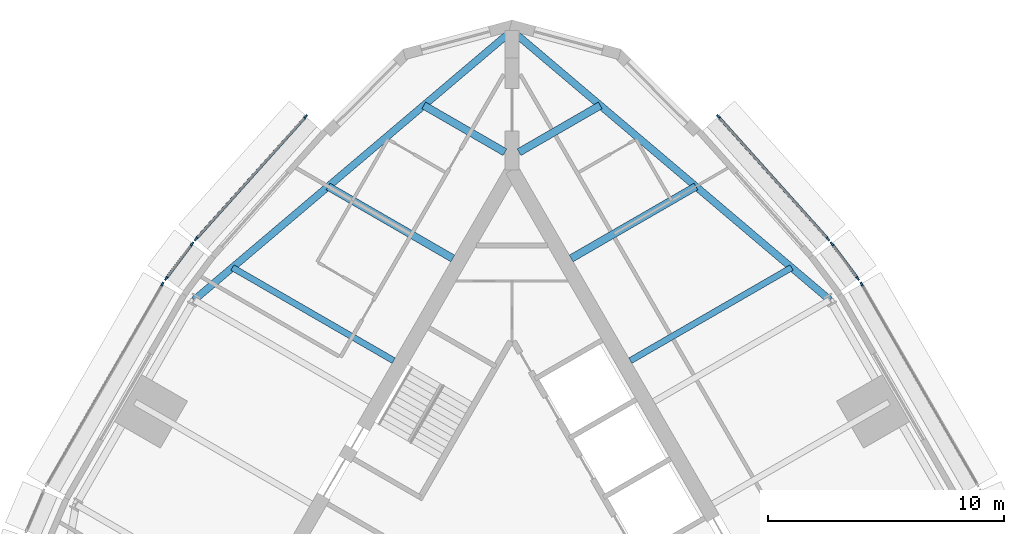
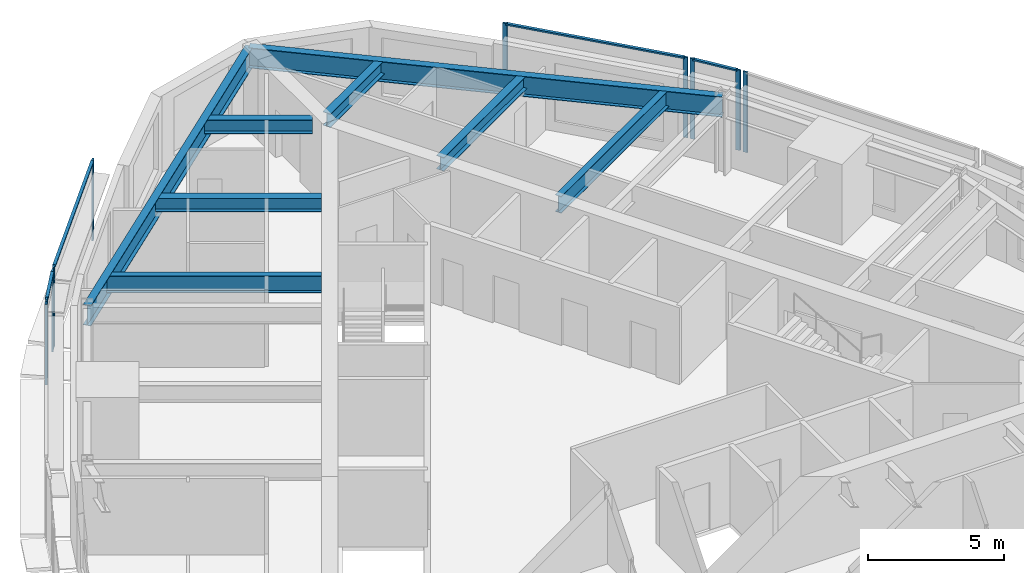
# One storey, part 5 of 12: 14 members, 8 beams, 6 elements without a shape of their own.
"""IFC4 building model written with IfcOpenShell, lengths in metres."""

import ifcopenshell
import ifcopenshell.guid

model = None  # the IFC model being written
_history = None  # IfcOwnerHistory: only IFC2X3 demands one
_inside = {}  # id of a spatial element -> (the spatial element, [elements in it])
_under = {}  # id of a project, library or spatial element -> (it, [spatial elements below it])
_declared = {}  # id of a project -> (the project, [libraries it declares])
_typed = {}  # id of a type object -> (the type object, [elements of that type])
_made_of = {}  # id of a material, layer set ... -> (it, [elements and type objects made of it])


def new_model(schema):
    """Start an empty IFC model of exactly this schema.

    Asked for "IFC4X3", IfcOpenShell would pick the latest addendum, in which some entities
    have other attributes; the version numbers below select the first issue.
    IFC2X3 requires an IfcOwnerHistory on every rooted entity: one is made here for all.
    """
    global model, _history
    if schema == "IFC4X3":
        model = ifcopenshell.file(schema_version=(4, 3, 0, 0))
    else:
        model = ifcopenshell.file(schema=schema)
    _inside.clear()
    _under.clear()
    _declared.clear()
    _typed.clear()
    _made_of.clear()
    _history = None
    if model.schema == "IFC2X3":
        org = make("IfcOrganization", Name="unknown")
        user = make(
            "IfcPersonAndOrganization",
            ThePerson=make("IfcPerson", FamilyName="unknown"),
            TheOrganization=org,
        )
        app = make(
            "IfcApplication",
            ApplicationDeveloper=org,
            Version="unknown",
            ApplicationFullName="unknown",
            ApplicationIdentifier="unknown",
        )
        _history = make(
            "IfcOwnerHistory",
            OwningUser=user,
            OwningApplication=app,
            ChangeAction="ADDED",
            CreationDate=0,
        )
    return model


def make(cls, **values):
    """One entity of the class cls with the attributes given. An attribute that is None is left unset."""
    return model.create_entity(
        cls, **{name: value for name, value in values.items() if value is not None}
    )


def rooted(cls, **values):
    """An entity with a GlobalId (a new one), such as an element, a storey or a relation."""
    return make(cls, GlobalId=ifcopenshell.guid.new(), OwnerHistory=_history, **values)


def si_unit(unit_type, name, prefix=None):
    """IfcSIUnit, for example si_unit("LENGTHUNIT", "METRE", prefix="MILLI")."""
    return make("IfcSIUnit", UnitType=unit_type, Prefix=prefix, Name=name)


def assignment(units):
    """IfcUnitAssignment: the units of a project."""
    return None if units is None else make("IfcUnitAssignment", Units=units)


def point(xyz):
    """IfcCartesianPoint."""
    return None if xyz is None else make("IfcCartesianPoint", Coordinates=xyz)


def direction(xyz):
    """IfcDirection."""
    return None if xyz is None else make("IfcDirection", DirectionRatios=xyz)


def frame(location, z_axis=None, x_axis=None):
    """IfcAxis2Placement3D, a coordinate frame: its origin and axes. An axis left out is left unset."""
    return make(
        "IfcAxis2Placement3D",
        Location=point(location),
        Axis=direction(z_axis),
        RefDirection=direction(x_axis),
    )


def frame_2d(location, x_axis=None):
    """IfcAxis2Placement2D, a coordinate frame in the plane: its origin and x axis."""
    return make(
        "IfcAxis2Placement2D", Location=point(location), RefDirection=direction(x_axis)
    )


def origin():
    """The frame at (0, 0, 0) with its axes left unset."""
    return frame((0.0, 0.0, 0.0))


def origin_2d():
    """The frame at (0, 0) in the plane with its x axis left unset."""
    return frame_2d((0.0, 0.0))


def place(relative_to, where):
    """IfcLocalPlacement: puts the frame where relative to a parent placement (None: the world)."""
    return make(
        "IfcLocalPlacement", PlacementRelTo=relative_to, RelativePlacement=where
    )


def context(
    kind, dimensions, precision=None, world=None, true_north=None, identifier=None
):
    """IfcGeometricRepresentationContext, for example the 3D "Model" context."""
    return make(
        "IfcGeometricRepresentationContext",
        ContextIdentifier=identifier,
        ContextType=kind,
        CoordinateSpaceDimension=dimensions,
        Precision=precision,
        WorldCoordinateSystem=world,
        TrueNorth=true_north,
    )


def subcontext(parent, identifier, kind, view, scale=None):
    """IfcGeometricRepresentationSubContext, for example "Body" below "Model"."""
    return make(
        "IfcGeometricRepresentationSubContext",
        ContextIdentifier=identifier,
        ContextType=kind,
        ParentContext=parent,
        TargetScale=scale,
        TargetView=view,
    )


def project(units=None, contexts=None):
    """IfcProject with its units and contexts."""
    return rooted(
        "IfcProject",
        Name="project",
        RepresentationContexts=contexts,
        UnitsInContext=assignment(units),
    )


def spatial(cls, under=None, at=None, **own):
    """A site, building, storey or space (cls), placed at a placement, below another one or the project."""
    s = rooted(cls, ObjectPlacement=at, **own)
    if under is not None:
        _under.setdefault(under.id(), (under, []))[1].append(s)
    return s


def profile(cls, at=None, kind="AREA", **sizes):
    """A parametric profile (cls). Its sizes go by their IFC names, for example OverallWidth=200.0."""
    return make(cls, ProfileType=kind, Position=at, **sizes)


def rectangle(**sizes):
    """IfcRectangleProfileDef."""
    return profile("IfcRectangleProfileDef", **sizes)


def i_section(**sizes):
    """IfcIShapeProfileDef."""
    return profile("IfcIShapeProfileDef", **sizes)


def extrude(swept, where, along, depth):
    """IfcExtrudedAreaSolid: the profile swept, set in the frame where, extruded along a direction by depth."""
    return make(
        "IfcExtrudedAreaSolid",
        SweptArea=swept,
        Position=where,
        ExtrudedDirection=direction(along),
        Depth=depth,
    )


def shape(context_of_items, identifier, shape_type, items):
    """IfcShapeRepresentation: the items that make up one representation, for example the "Body"."""
    return make(
        "IfcShapeRepresentation",
        ContextOfItems=context_of_items,
        RepresentationIdentifier=identifier,
        RepresentationType=shape_type,
        Items=items,
    )


def material(Name=None, Category=None):
    """IfcMaterial."""
    return make("IfcMaterial", Name=Name, Category=Category)


def material_profile(
    of_material, cross_section, Name=None, Category=None, Priority=None
):
    """IfcMaterialProfile: a cross section and its material."""
    return make(
        "IfcMaterialProfile",
        Name=Name,
        Material=of_material,
        Profile=cross_section,
        Priority=Priority,
        Category=Category,
    )


def profile_set(profiles, Name=None, composite=None):
    """IfcMaterialProfileSet."""
    return make(
        "IfcMaterialProfileSet",
        Name=Name,
        MaterialProfiles=profiles,
        CompositeProfile=composite,
    )


def made_of(thing, what):
    """Note that an element or type object is made of a material, layer set ...; save() writes the relation."""
    if what is not None:
        _made_of.setdefault(what.id(), (what, []))[1].append(thing)
    return thing


def type_object(cls, material=None, **own):
    """A type object (cls), such as IfcWallType, which elements share."""
    return made_of(rooted(cls, **own), material)


def element(
    cls,
    number,
    at=None,
    inside=None,
    cuts=None,
    type_object=None,
    material=None,
    context=None,
    identifier="Body",
    shape_type=None,
    held_by="IfcProductDefinitionShape",
    body=None,
    shapes=None,
    **own,
):
    """One element of the class cls, such as IfcWall. Its Tag is "e" and its number.

    at: its placement. inside: the storey or other place that contains it. cuts: it is an
    opening in that element (IfcRelVoidsElement). A single representation is given by context,
    identifier, shape_type and body (its items); several are given by shapes. held_by: the class
    of the entity that holds the representations. save() writes the other relations.
    """
    e = rooted(cls, Tag="e%d" % number, ObjectPlacement=at, **own)
    if body is not None:
        shapes = [shape(context, identifier, shape_type, body)]
    if shapes is not None:
        e.Representation = make(held_by, Representations=shapes)
    if inside is not None:
        _inside.setdefault(inside.id(), (inside, []))[1].append(e)
    if cuts is not None:
        rooted(
            "IfcRelVoidsElement", RelatingBuildingElement=cuts, RelatedOpeningElement=e
        )
    if type_object is not None:
        _typed.setdefault(type_object.id(), (type_object, []))[1].append(e)
    return made_of(e, material)


def aggregate(whole, parts):
    """IfcRelAggregates: a whole, such as a stair, and the parts it consists of."""
    return rooted("IfcRelAggregates", RelatingObject=whole, RelatedObjects=parts)


def save(model, path):
    """Write the relations noted so far, then the file.

    IfcRelAggregates (storeys below a building ...), IfcRelContainedInSpatialStructure (elements
    in a storey), IfcRelDefinesByType, IfcRelAssociatesMaterial and IfcRelDeclares: one each for
    every whole, place, type object, material and project.
    """
    for whole, parts in _under.values():
        aggregate(whole, parts)
    for where, things in _inside.values():
        rooted(
            "IfcRelContainedInSpatialStructure",
            RelatedElements=things,
            RelatingStructure=where,
        )
    for kind, things in _typed.values():
        rooted("IfcRelDefinesByType", RelatedObjects=things, RelatingType=kind)
    for what, things in _made_of.values():
        rooted("IfcRelAssociatesMaterial", RelatedObjects=things, RelatingMaterial=what)
    for by, libraries in _declared.values():
        rooted("IfcRelDeclares", RelatingContext=by, RelatedDefinitions=libraries)
    model.write(path)


model = new_model("IFC4")

# Units and contexts
model_context = context("Model", 3, precision=1e-05, world=origin(), true_north=direction((0.0, 1.0)))
body_context = subcontext(model_context, "Body", "Model", "MODEL_VIEW")
ifc_project = project(units=[si_unit("LENGTHUNIT", "METRE"), si_unit("AREAUNIT", "SQUARE_METRE"), si_unit("VOLUMEUNIT", "CUBIC_METRE"), si_unit("PLANEANGLEUNIT", "RADIAN"), si_unit("MASSUNIT", "GRAM", prefix="KILO")], contexts=[model_context])

# Site, building, storey
site_placement = place(None, origin())
site = spatial("IfcSite", under=ifc_project, at=site_placement, CompositionType="ELEMENT")
building_placement = place(site_placement, origin())
building = spatial("IfcBuilding", under=site, at=building_placement, Name="Trikona Tower", CompositionType="ELEMENT")
storey_placement = place(building_placement, frame((0.0, 0.0, 260.89990234375)))
storey = spatial("IfcBuildingStorey", under=building, at=storey_placement, Name="L69", CompositionType="ELEMENT", Elevation=260.89990234375)

# Curtain wall, member
ifc_material_1 = material(Name="Aluminium curtain wall system", Category="aluminium")
curtain_wall_type = type_object("IfcCurtainWallType", Name="Curtain wall DS3", PredefinedType="NOTDEFINED", material=ifc_material_1)
curtain_wall_1_placement = place(storey_placement, origin())
curtain_wall_1 = element("IfcCurtainWall", 1, at=curtain_wall_1_placement, inside=storey, type_object=curtain_wall_type, Name="Curtain wall DS3 L69", PredefinedType="NOTDEFINED")
ifc_material_2 = material(Name="Aluminium mullion, pale anodised", Category="aluminium")
ifc_material_profile_1 = material_profile(ifc_material_2, rectangle(XDim=0.070068359375, YDim=0.179931640625, at=origin_2d()), Name="MUL-DS3")
ifc_profile_set_1 = profile_set([ifc_material_profile_1], Name="Aluminium mullion, pale anodised")
member_type_1 = type_object("IfcMemberType", Name="Mullion DS3 70x180", PredefinedType="MULLION", material=ifc_profile_set_1)
member_1_placement = place(storey_placement, frame((14.807861328125, 14.213134765625, 0.0), z_axis=(0.0, 0.0, 1.0), x_axis=(-0.866024619633, -0.500001358187, 0.0)))
member_1 = element("IfcMember", 2, at=member_1_placement, type_object=member_type_1, Name="CW-DS3 mullion 2", PredefinedType="MULLION", context=body_context, shape_type="SweptSolid", body=[
    extrude(rectangle(XDim=0.070068359375, YDim=0.179931640625, at=origin_2d()), origin(), (0.0, 0.0, 1.0), 3.60009765625),
])
aggregate(curtain_wall_1, [member_1])

# Curtain wall, members
curtain_wall_2_placement = place(storey_placement, origin())
curtain_wall_2 = element("IfcCurtainWall", 3, at=curtain_wall_2_placement, inside=storey, type_object=curtain_wall_type, Name="Curtain wall DS3 L69", PredefinedType="NOTDEFINED")
member_2_placement = place(storey_placement, frame((14.644287109375, 14.461181640625, 0.0), z_axis=(0.0, 0.0, 1.0), x_axis=(-0.800259657055, -0.599653634435, 0.0)))
member_2 = element("IfcMember", 4, at=member_2_placement, type_object=member_type_1, Name="CW-DS3 mullion 1", PredefinedType="MULLION", context=body_context, shape_type="SweptSolid", body=[
    extrude(rectangle(XDim=0.070068359375, YDim=0.179931640625, at=origin_2d()), origin(), (0.0, 0.0, 1.0), 3.60009765625),
])
member_3_placement = place(storey_placement, frame((13.55029296875, 15.9208984375, 0.0), z_axis=(0.0, 0.0, 1.0), x_axis=(-0.800259657055, -0.599653634435, 0.0)))
member_3 = element("IfcMember", 5, at=member_3_placement, type_object=member_type_1, Name="CW-DS3 mullion 2", PredefinedType="MULLION", context=body_context, shape_type="SweptSolid", body=[
    extrude(rectangle(XDim=0.070068359375, YDim=0.179931640625, at=origin_2d()), origin(), (0.0, 0.0, 1.0), 3.60009765625),
])

curtain_wall_3_placement = place(storey_placement, origin())
curtain_wall_3 = element("IfcCurtainWall", 6, at=curtain_wall_3_placement, inside=storey, type_object=curtain_wall_type, Name="Curtain wall DS3 L69", PredefinedType="NOTDEFINED")
member_4_placement = place(storey_placement, frame((13.380126953125, 16.128662109375, 0.0), z_axis=(0.0, 0.0, 1.0), x_axis=(-0.744771436797, -0.667319643748, 0.0)))
member_4 = element("IfcMember", 7, at=member_4_placement, type_object=member_type_1, Name="CW-DS3 mullion 1", PredefinedType="MULLION", context=body_context, shape_type="SweptSolid", body=[
    extrude(rectangle(XDim=0.070068359375, YDim=0.179931640625, at=origin_2d()), origin(), (0.0, 0.0, 1.0), 3.60009765625),
])
member_5_placement = place(storey_placement, frame((8.733642578125, 21.314453125, 0.0), z_axis=(0.0, 0.0, 1.0), x_axis=(-0.744771436797, -0.667319643748, 0.0)))
member_5 = element("IfcMember", 8, at=member_5_placement, type_object=member_type_1, Name="CW-DS3 mullion 2", PredefinedType="MULLION", context=body_context, shape_type="SweptSolid", body=[
    extrude(rectangle(XDim=0.070068359375, YDim=0.179931640625, at=origin_2d()), origin(), (0.0, 0.0, 1.0), 3.60009765625),
])

curtain_wall_4_placement = place(storey_placement, origin())
curtain_wall_4 = element("IfcCurtainWall", 9, at=curtain_wall_4_placement, inside=storey, type_object=curtain_wall_type, Name="Curtain wall DS3 L69", PredefinedType="NOTDEFINED")
member_6_placement = place(storey_placement, frame((-8.733642578125, 21.314453125, 0.0), z_axis=(0.0, 0.0, 1.0), x_axis=(0.744771436797, -0.667319643748, 0.0)))
member_6 = element("IfcMember", 10, at=member_6_placement, type_object=member_type_1, Name="CW-DS3 mullion 1", PredefinedType="MULLION", context=body_context, shape_type="SweptSolid", body=[
    extrude(rectangle(XDim=0.070068359375, YDim=0.179931640625, at=origin_2d()), origin(), (0.0, 0.0, 1.0), 3.60009765625),
])
member_7_placement = place(storey_placement, frame((-13.380126953125, 16.128662109375, 0.0), z_axis=(0.0, 0.0, 1.0), x_axis=(0.744771436797, -0.667319643748, 0.0)))
member_7 = element("IfcMember", 11, at=member_7_placement, type_object=member_type_1, Name="CW-DS3 mullion 2", PredefinedType="MULLION", context=body_context, shape_type="SweptSolid", body=[
    extrude(rectangle(XDim=0.070068359375, YDim=0.179931640625, at=origin_2d()), origin(), (0.0, 0.0, 1.0), 3.60009765625),
])

curtain_wall_5_placement = place(storey_placement, origin())
curtain_wall_5 = element("IfcCurtainWall", 12, at=curtain_wall_5_placement, inside=storey, type_object=curtain_wall_type, Name="Curtain wall DS3 L69", PredefinedType="NOTDEFINED")
member_8_placement = place(storey_placement, frame((-13.55029296875, 15.9208984375, 0.0), z_axis=(0.0, 0.0, 1.0), x_axis=(0.800259657055, -0.599653634435, 0.0)))
member_8 = element("IfcMember", 13, at=member_8_placement, type_object=member_type_1, Name="CW-DS3 mullion 1", PredefinedType="MULLION", context=body_context, shape_type="SweptSolid", body=[
    extrude(rectangle(XDim=0.070068359375, YDim=0.179931640625, at=origin_2d()), origin(), (0.0, 0.0, 1.0), 3.60009765625),
])
member_9_placement = place(storey_placement, frame((-14.644287109375, 14.461181640625, 0.0), z_axis=(0.0, 0.0, 1.0), x_axis=(0.800259657055, -0.599653634435, 0.0)))
member_9 = element("IfcMember", 14, at=member_9_placement, type_object=member_type_1, Name="CW-DS3 mullion 2", PredefinedType="MULLION", context=body_context, shape_type="SweptSolid", body=[
    extrude(rectangle(XDim=0.070068359375, YDim=0.179931640625, at=origin_2d()), origin(), (0.0, 0.0, 1.0), 3.60009765625),
])

# Curtain wall, member
curtain_wall_6_placement = place(storey_placement, origin())
curtain_wall_6 = element("IfcCurtainWall", 15, at=curtain_wall_6_placement, inside=storey, type_object=curtain_wall_type, Name="Curtain wall DS3 L69", PredefinedType="NOTDEFINED")
member_10_placement = place(storey_placement, frame((-14.807861328125, 14.213134765625, 0.0), z_axis=(0.0, 0.0, 1.0), x_axis=(0.866024619633, -0.500001358187, 0.0)))
member_10 = element("IfcMember", 16, at=member_10_placement, type_object=member_type_1, Name="CW-DS3 mullion 1", PredefinedType="MULLION", context=body_context, shape_type="SweptSolid", body=[
    extrude(rectangle(XDim=0.070068359375, YDim=0.179931640625, at=origin_2d()), origin(), (0.0, 0.0, 1.0), 3.60009765625),
])
aggregate(curtain_wall_6, [member_10])

# Beams
ifc_material_3 = material(Name="Steel ASTM A992 Grade 50", Category="steel")
ifc_material_profile_2 = material_profile(ifc_material_3, i_section(OverallWidth=0.3251953125, OverallDepth=0.612060546875, WebThickness=0.0126953125, FlangeThickness=0.01904296875, at=origin_2d()), Name="W24X104")
ifc_profile_set_2 = profile_set([ifc_material_profile_2], Name="Steel ASTM A992 Grade 50")
beam_type_1 = type_object("IfcBeamType", Name="Steel beam W24x104 (wedge upper)", PredefinedType="BEAM", material=ifc_profile_set_2)
beam_1_placement = place(storey_placement, frame((2.509765625, 15.305419921875, 3.12890625), z_axis=(0.866023498866, 0.500003299401, 0.0), x_axis=(-0.500003299401, 0.866023498866, 0.0)))
element("IfcBeam", 17, at=beam_1_placement, inside=storey, type_object=beam_type_1, Name="Floor beam L70 F2 u12", PredefinedType="BEAM", context=body_context, shape_type="SweptSolid", body=[
    extrude(i_section(OverallWidth=0.3251953125, OverallDepth=0.612060546875, WebThickness=0.0126953125, FlangeThickness=0.01904296875, at=origin_2d()), origin(), (0.0, 0.0, 1.0), 6.09521484375),
])
for number, where, z_axis, x_axis, name in (
    (18, (0.300048828125, 19.802978515625, 3.12890625), (0.866004223388, 0.500036683728, 0.0), (-0.500036683728, 0.866004223388, 0.0), "Floor beam L70 F2 u17"),
    (19, (-0.300048828125, 19.802978515625, 3.12890625), (-0.866004223388, 0.500036683728, 0.0), (-0.500036683728, -0.866004223388, 0.0), "Floor beam L70 F3 u-17"),
):
    element("IfcBeam", number, at=place(storey_placement, frame(where, z_axis=z_axis, x_axis=x_axis)), inside=storey, type_object=beam_type_1, Name=name, PredefinedType="BEAM", context=body_context, shape_type="SweptSolid", body=[
        extrude(i_section(OverallWidth=0.3251953125, OverallDepth=0.612060546875, WebThickness=0.0126953125, FlangeThickness=0.01904296875, at=origin_2d()), origin(), (0.0, 0.0, 1.0), 3.968017578125),
    ])
beam_2_placement = place(storey_placement, frame((-2.509765625, 15.305419921875, 3.12890625), z_axis=(-0.866023498866, 0.500003299401, 0.0), x_axis=(-0.500003299401, -0.866023498866, 0.0)))
element("IfcBeam", 20, at=beam_2_placement, inside=storey, type_object=beam_type_1, Name="Floor beam L70 F3 u-12", PredefinedType="BEAM", context=body_context, shape_type="SweptSolid", body=[
    extrude(i_section(OverallWidth=0.3251953125, OverallDepth=0.612060546875, WebThickness=0.0126953125, FlangeThickness=0.01904296875, at=origin_2d()), origin(), (0.0, 0.0, 1.0), 6.09521484375),
])
ifc_material_4 = material(Name="Steel ASTM A992 Grade 50", Category="steel")
ifc_material_profile_3 = material_profile(ifc_material_4, i_section(OverallWidth=0.2666015625, OverallDepth=0.7568359375, WebThickness=0.013916015625, FlangeThickness=0.019287109375, at=origin_2d()), Name="W30X108")
ifc_profile_set_3 = profile_set([ifc_material_profile_3], Name="Steel ASTM A992 Grade 50")
beam_type_2 = type_object("IfcBeamType", Name="Steel beam W30x108 (radial upper)", PredefinedType="BEAM", material=ifc_profile_set_3)
for number, where, z_axis, x_axis, name in (
    (21, (5.009765625, 10.975341796875, 3.056640625), (0.866034560358, 0.499984140014, 0.0), (-0.499984140014, 0.866034560358, 0.0), "Floor beam L70 F2 u7"),
    (22, (-5.009765625, 10.975341796875, 3.056640625), (-0.866034560358, 0.499984140014, 0.0), (-0.499984140014, -0.866034560358, 0.0), "Floor beam L70 F3 u-7"),
):
    element("IfcBeam", number, at=place(storey_placement, frame(where, z_axis=z_axis, x_axis=x_axis)), inside=storey, type_object=beam_type_2, Name=name, PredefinedType="BEAM", context=body_context, shape_type="SweptSolid", body=[
        extrude(i_section(OverallWidth=0.2666015625, OverallDepth=0.7568359375, WebThickness=0.013916015625, FlangeThickness=0.019287109375, at=origin_2d()), origin(), (0.0, 0.0, 1.0), 7.887451171875),
    ])
ifc_material_5 = material(Name="Steel ASTM A992 Grade 50", Category="steel")
ifc_material_profile_4 = material_profile(ifc_material_5, i_section(OverallWidth=0.3046875, OverallDepth=0.911865234375, WebThickness=0.015869140625, FlangeThickness=0.02392578125, at=origin_2d()), Name="W36X150")
ifc_profile_set_4 = profile_set([ifc_material_profile_4], Name="Steel ASTM A992 Grade 50")
beam_type_3 = type_object("IfcBeamType", Name="Steel beam W36x150 (spandrel upper)", PredefinedType="SPANDREL", material=ifc_profile_set_4)
for number, where, z_axis, x_axis, name in (
    (23, (13.461181640625, 13.54541015625, 2.979248046875), (-0.762890626803, 0.646527564405, 0.0), (-0.646527564405, -0.762890626803, 0.0), "Spandrel beam L70 F2-3"),
    (24, (0.0, 24.953369140625, 2.979248046875), (-0.762890626803, -0.646527564405, 0.0), (0.646527564405, -0.762890626803, 0.0), "Spandrel beam L70 F3-1"),
):
    element("IfcBeam", number, at=place(storey_placement, frame(where, z_axis=z_axis, x_axis=x_axis)), inside=storey, type_object=beam_type_3, Name=name, PredefinedType="SPANDREL", context=body_context, shape_type="SweptSolid", body=[
        extrude(i_section(OverallWidth=0.3046875, OverallDepth=0.911865234375, WebThickness=0.015869140625, FlangeThickness=0.02392578125, at=origin_2d()), origin(), (0.0, 0.0, 1.0), 17.64501953125),
    ])

# Member
ifc_material_6 = material(Name="Aluminium transom, pale anodised", Category="aluminium")
ifc_material_profile_5 = material_profile(ifc_material_6, rectangle(XDim=0.1201171875, YDim=0.070068359375, at=origin_2d()), Name="TRN-DS3")
ifc_profile_set_5 = profile_set([ifc_material_profile_5], Name="Aluminium transom, pale anodised")
member_type_2 = type_object("IfcMemberType", Name="Transom DS3 70x120", PredefinedType="USERDEFINED", material=ifc_profile_set_5)
member_11_placement = place(storey_placement, frame((14.623291015625, 14.489013671875, 3.565185546875), z_axis=(-0.599621429645, 0.80028378786, 0.0), x_axis=(-0.80028378786, -0.599621429645, 0.0)))
member_11 = element("IfcMember", 25, at=member_11_placement, type_object=member_type_2, Name="CW-DS3 transom 1.1", ObjectType="TRANSOM", PredefinedType="USERDEFINED", context=body_context, shape_type="SweptSolid", body=[
    extrude(rectangle(XDim=0.1201171875, YDim=0.070068359375, at=origin_2d()), origin(), (0.0, 0.0, 1.0), 1.75439453125),
])

aggregate(curtain_wall_2, [member_2, member_3, member_11])

member_12_placement = place(storey_placement, frame((13.356689453125, 16.15478515625, 3.565185546875), z_axis=(-0.667313410703, 0.744777021595, 0.0), x_axis=(-0.744777021595, -0.667313410703, 0.0)))
member_12 = element("IfcMember", 26, at=member_12_placement, type_object=member_type_2, Name="CW-DS3 transom 1.1", ObjectType="TRANSOM", PredefinedType="USERDEFINED", context=body_context, shape_type="SweptSolid", body=[
    extrude(rectangle(XDim=0.1201171875, YDim=0.070068359375, at=origin_2d()), origin(), (0.0, 0.0, 1.0), 6.892822265625),
])

aggregate(curtain_wall_3, [member_4, member_5, member_12])

member_13_placement = place(storey_placement, frame((-8.757080078125, 21.288330078125, 3.565185546875), z_axis=(-0.667313410703, -0.744777021595, 0.0), x_axis=(0.744777021595, -0.667313410703, 0.0)))
member_13 = element("IfcMember", 27, at=member_13_placement, type_object=member_type_2, Name="CW-DS3 transom 1.1", ObjectType="TRANSOM", PredefinedType="USERDEFINED", context=body_context, shape_type="SweptSolid", body=[
    extrude(rectangle(XDim=0.1201171875, YDim=0.070068359375, at=origin_2d()), origin(), (0.0, 0.0, 1.0), 6.892822265625),
])

aggregate(curtain_wall_4, [member_6, member_7, member_13])

member_14_placement = place(storey_placement, frame((-13.5712890625, 15.89306640625, 3.565185546875), z_axis=(-0.599621429645, -0.80028378786, 0.0), x_axis=(0.80028378786, -0.599621429645, 0.0)))
member_14 = element("IfcMember", 28, at=member_14_placement, type_object=member_type_2, Name="CW-DS3 transom 1.1", ObjectType="TRANSOM", PredefinedType="USERDEFINED", context=body_context, shape_type="SweptSolid", body=[
    extrude(rectangle(XDim=0.1201171875, YDim=0.070068359375, at=origin_2d()), origin(), (0.0, 0.0, 1.0), 1.75439453125),
])

aggregate(curtain_wall_5, [member_8, member_9, member_14])

save(model, "model.ifc")
